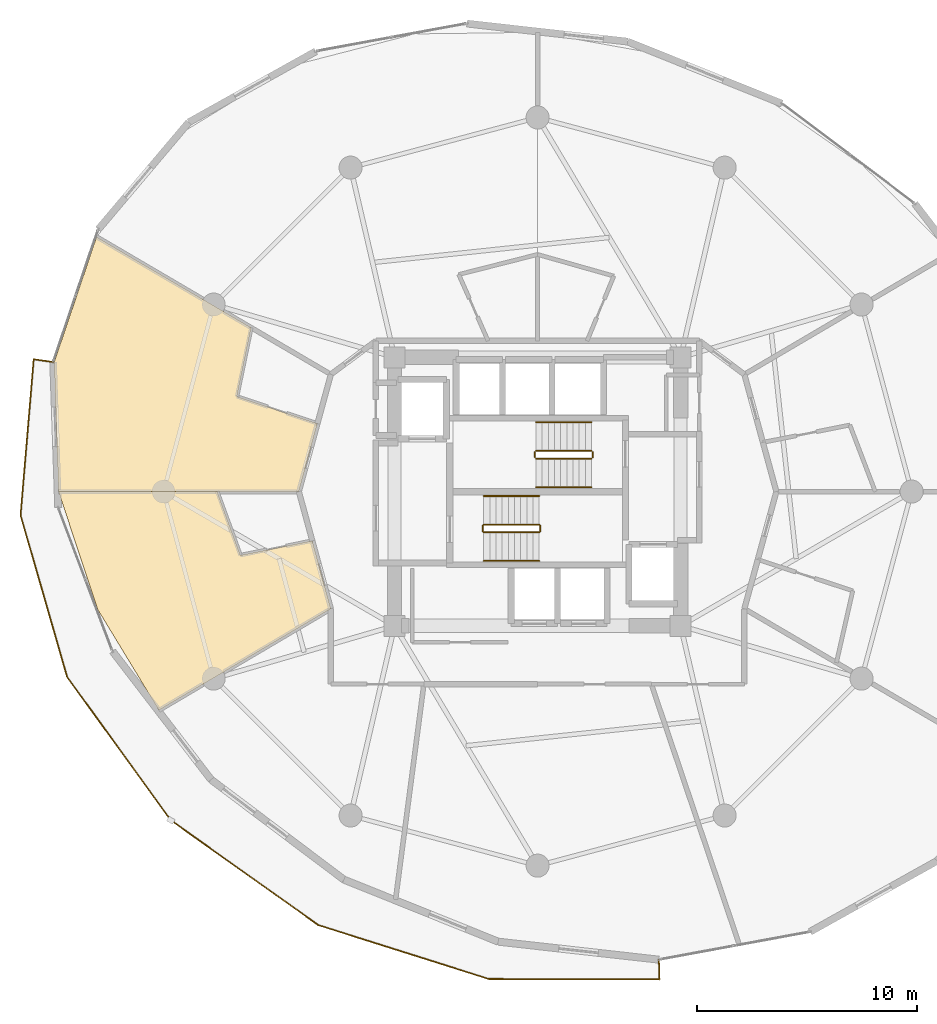
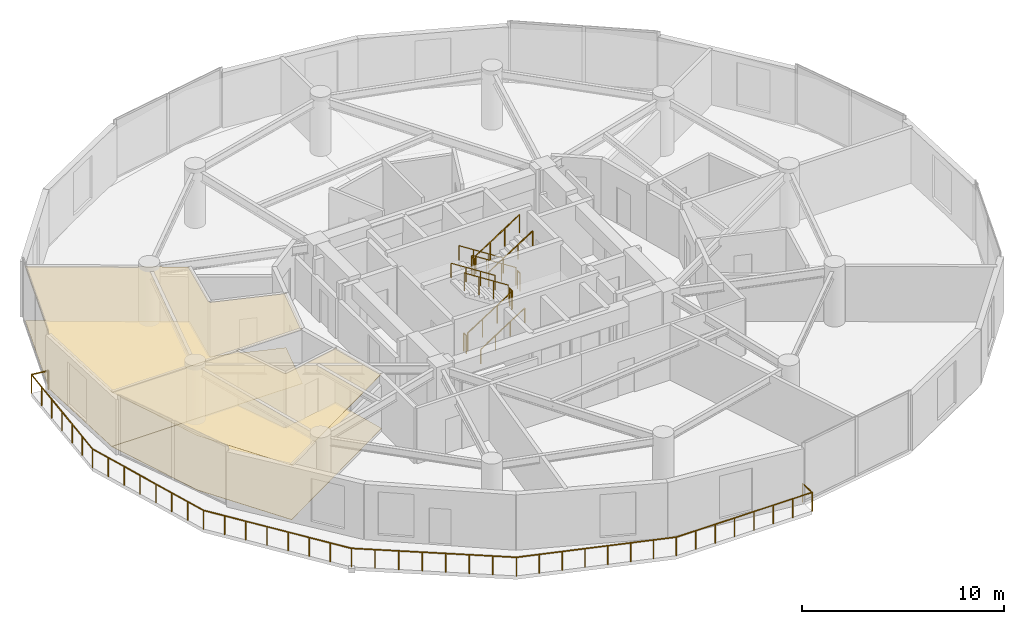
# One storey, part 24 of 25: 13 railings, 4 coverings.
"""IFC4 building model written with IfcOpenShell, lengths in metres."""

from ifc_helpers import new_model, si_unit, direction, frame, origin, origin_2d, place, context, subcontext, project, spatial, polyline, circle, outline, extrude, material, layer, layer_set, type_object, element, save


model = new_model("IFC4")

# Units and contexts
model_context = context("Model", 3, precision=1e-05, world=origin(), true_north=direction((0.0, 1.0)))
body_context = subcontext(model_context, "Body", "Model", "MODEL_VIEW")
ifc_project = project(units=[si_unit("LENGTHUNIT", "METRE"), si_unit("AREAUNIT", "SQUARE_METRE"), si_unit("VOLUMEUNIT", "CUBIC_METRE"), si_unit("PLANEANGLEUNIT", "RADIAN"), si_unit("MASSUNIT", "GRAM", prefix="KILO")], contexts=[model_context])

# Site, building, storey
site_placement = place(None, origin())
site = spatial("IfcSite", under=ifc_project, at=site_placement, CompositionType="ELEMENT")
building_placement = place(site_placement, origin())
building = spatial("IfcBuilding", under=site, at=building_placement, Name="Solvirekh Grand Hotel", CompositionType="ELEMENT")
storey_placement = place(building_placement, frame((0.0, 0.0, 102.60009765625)))
storey = spatial("IfcBuildingStorey", under=building, at=storey_placement, Name="L25", CompositionType="ELEMENT", Elevation=102.60009765625)

# Coverings
ifc_material_1 = material(Name="Acoustic Mineral Ceiling Tile")
ifc_layer_1 = layer(ifc_material_1, 0.02490234375)
ifc_layer_set_1 = layer_set([ifc_layer_1], Name="Acoustic Mineral Ceiling Tile")
covering_type_1 = type_object("IfcCoveringType", Name="Cov_Ceiling_Acoustic", PredefinedType="CEILING", material=ifc_layer_set_1)
covering_1_placement = place(storey_placement, frame((0.0, 0.0, 3.2998046875)))
element("IfcCovering", 1, at=covering_1_placement, inside=storey, type_object=covering_type_1, Name="L25 Deluxe Guestroom 2703 acoustic ceiling", PredefinedType="CEILING", context=body_context, shape_type="SweptSolid", body=[
    extrude(outline(polyline([(-13.666015625, 4.321044921875), (-13.01708984375, 7.448974609375), (-20.044921875, 11.572998046875), (-21.968994140625, 5.885986328125), (-21.77099609375, 0.0), (-10.85009765625, 0.0), (-10.007080078125, 3.089111328125), (-13.666015625, 4.321044921875)])), origin(), (0.0, 0.0, 1.0), 0.01806640625),
])
covering_2_placement = place(storey_placement, frame((0.0, 0.0, 3.2998046875)))
element("IfcCovering", 2, at=covering_2_placement, inside=storey, type_object=covering_type_1, Name="L25 Deluxe Guestroom 2704 acoustic ceiling", PredefinedType="CEILING", context=body_context, shape_type="SweptSolid", body=[
    extrude(outline(polyline([(-13.509033203125, -2.89501953125), (-14.56298828125, 0.0), (-21.77099609375, 0.0), (-19.991943359375, -5.35693359375), (-17.2109375, -9.93701171875), (-9.39599609375, -5.324951171875), (-10.239013671875, -2.236083984375), (-13.509033203125, -2.89501953125)])), origin(), (0.0, 0.0, 1.0), 0.01806640625),
])
ifc_material_2 = material(Name="Porcelain Stoneware Flooring", Category="masonry")
ifc_layer_2 = layer(ifc_material_2, 0.030029296875)
ifc_layer_set_2 = layer_set([ifc_layer_2], Name="Porcelain Stoneware Flooring")
covering_type_2 = type_object("IfcCoveringType", Name="Cov_Floor_Stone", PredefinedType="FLOORING", material=ifc_layer_set_2)
covering_3_placement = place(storey_placement, origin())
element("IfcCovering", 3, at=covering_3_placement, inside=storey, type_object=covering_type_2, Name="L25 Deluxe Guestroom 2703 polished granite flooring", PredefinedType="FLOORING", context=body_context, shape_type="SweptSolid", body=[
    extrude(outline(polyline([(-13.666015625, 4.321044921875), (-13.01708984375, 7.448974609375), (-20.044921875, 11.572998046875), (-21.968994140625, 5.885986328125), (-21.77099609375, 0.0), (-10.85009765625, 0.0), (-10.007080078125, 3.089111328125), (-13.666015625, 4.321044921875)])), origin(), (0.0, 0.0, 1.0), 0.02001953125),
])
covering_4_placement = place(storey_placement, origin())
element("IfcCovering", 4, at=covering_4_placement, inside=storey, type_object=covering_type_2, Name="L25 Deluxe Guestroom 2704 polished granite flooring", PredefinedType="FLOORING", context=body_context, shape_type="SweptSolid", body=[
    extrude(outline(polyline([(-13.509033203125, -2.89501953125), (-14.56298828125, 0.0), (-21.77099609375, 0.0), (-19.991943359375, -5.35693359375), (-17.2109375, -9.93701171875), (-9.39599609375, -5.324951171875), (-10.239013671875, -2.236083984375), (-13.509033203125, -2.89501953125)])), origin(), (0.0, 0.0, 1.0), 0.02001953125),
])

# Railings
ifc_material_3 = material(Name="Anodized Bronze Aluminium 6063-T6", Category="aluminium")
railing_type_1 = type_object("IfcRailingType", Name="Guard_ExtGlass_1150", PredefinedType="BALUSTRADE", material=ifc_material_3)
railing_1_placement = place(storey_placement, frame((-22.010986328125, 5.885986328125, 0.0)))
element("IfcRailing", 5, at=railing_1_placement, inside=storey, type_object=railing_type_1, Name="L25 balc perimeter glass balustrade", PredefinedType="BALUSTRADE", context=body_context, shape_type="SweptSolid", body=[
    extrude(circle(Radius=0.02392578125, at=origin_2d()), frame((0.0, 0.0, 1.1259765625), z_axis=(-0.989851628568, 0.142104726951, 0.0), x_axis=(-0.142104726951, -0.989851628568, 0.0)), (0.0, 0.0, 1.0), 0.900146484375),
    extrude(circle(Radius=0.02392578125, at=origin_2d()), frame((-0.89111328125, 0.1279296875, 1.1259765625), z_axis=(-0.084056659268, -0.996460976673, 0.0), x_axis=(0.996460976673, -0.084056659268, 0.0)), (0.0, 0.0, 1.0), 7.113037109375),
    extrude(circle(Radius=0.02392578125, at=origin_2d()), frame((-1.489013671875, -6.9599609375, 1.1259765625), z_axis=(0.276681142751, -0.960961781366, 0.0), x_axis=(0.960961781366, 0.276681142751, 0.0)), (0.0, 0.0, 1.0), 7.647705078125),
    extrude(circle(Radius=0.02392578125, at=origin_2d()), frame((0.626953125, -14.30908203125, 1.1259765625), z_axis=(0.586320293879, -0.810079325119, 0.0), x_axis=(0.810079325119, 0.586320293879, 0.0)), (0.0, 0.0, 1.0), 8.04345703125),
    extrude(circle(Radius=0.02392578125, at=origin_2d()), frame((5.343017578125, -20.824951171875, 1.1259765625), z_axis=(0.815056008737, -0.579382173199, 0.0), x_axis=(0.579382173199, 0.815056008737, 0.0)), (0.0, 0.0, 1.0), 8.218994140625),
    extrude(circle(Radius=0.02392578125, at=origin_2d()), frame((12.0419921875, -25.5869140625, 1.1259765625), z_axis=(0.953469536427, -0.301489374781, 0.0), x_axis=(0.301489374781, 0.953469536427, 0.0)), (0.0, 0.0, 1.0), 8.126220703125),
    extrude(circle(Radius=0.02392578125, at=origin_2d()), frame((19.7900390625, -28.036865234375, 1.1259765625), z_axis=(0.999995901682, -0.002862973952, 0.0), x_axis=(0.002862973952, 0.999995901682, 0.0)), (0.0, 0.0, 1.0), 7.760009765625),
    extrude(circle(Radius=0.02392578125, at=origin_2d()), frame((27.550048828125, -28.05908203125, 1.1259765625), z_axis=(-0.031175508938, 0.999513925687, 0.0), x_axis=(-0.999513925687, -0.031175508938, 0.0)), (0.0, 0.0, 1.0), 0.900634765625),
    extrude(circle(Radius=0.02099609375, at=origin_2d()), origin(), (0.0, 0.0, 1.0), 1.101806640625),
    extrude(circle(Radius=0.02099609375, at=origin_2d()), frame((-0.89111328125, 0.1279296875, 0.0)), (0.0, 0.0, 1.0), 1.101806640625),
    extrude(circle(Radius=0.02099609375, at=origin_2d()), frame((-0.99072265625, -1.053466796875, 0.0)), (0.0, 0.0, 1.0), 1.101806640625),
    extrude(circle(Radius=0.02099609375, at=origin_2d()), frame((-1.09033203125, -2.234619140625, 0.0)), (0.0, 0.0, 1.0), 1.101806640625),
    extrude(circle(Radius=0.02099609375, at=origin_2d()), frame((-1.18994140625, -3.416015625, 0.0)), (0.0, 0.0, 1.0), 1.101806640625),
    extrude(circle(Radius=0.02099609375, at=origin_2d()), frame((-1.289794921875, -4.597412109375, 0.0)), (0.0, 0.0, 1.0), 1.101806640625),
    extrude(circle(Radius=0.02099609375, at=origin_2d()), frame((-1.389404296875, -5.778564453125, 0.0)), (0.0, 0.0, 1.0), 1.101806640625),
    extrude(circle(Radius=0.02099609375, at=origin_2d()), frame((-1.489013671875, -6.9599609375, 0.0)), (0.0, 0.0, 1.0), 1.101806640625),
    extrude(circle(Radius=0.02099609375, at=origin_2d()), frame((-1.186767578125, -8.009765625, 0.0)), (0.0, 0.0, 1.0), 1.101806640625),
    extrude(circle(Radius=0.02099609375, at=origin_2d()), frame((-0.884521484375, -9.059814453125, 0.0)), (0.0, 0.0, 1.0), 1.101806640625),
    extrude(circle(Radius=0.02099609375, at=origin_2d()), frame((-0.582275390625, -10.109619140625, 0.0)), (0.0, 0.0, 1.0), 1.101806640625),
    extrude(circle(Radius=0.02099609375, at=origin_2d()), frame((-0.27978515625, -11.159423828125, 0.0)), (0.0, 0.0, 1.0), 1.101806640625),
    extrude(circle(Radius=0.02099609375, at=origin_2d()), frame((0.0224609375, -12.209228515625, 0.0)), (0.0, 0.0, 1.0), 1.101806640625),
    extrude(circle(Radius=0.02099609375, at=origin_2d()), frame((0.32470703125, -13.25927734375, 0.0)), (0.0, 0.0, 1.0), 1.101806640625),
    extrude(circle(Radius=0.02099609375, at=origin_2d()), frame((0.626953125, -14.30908203125, 0.0)), (0.0, 0.0, 1.0), 1.101806640625),
    extrude(circle(Radius=0.02099609375, at=origin_2d()), frame((1.30078125, -15.239990234375, 0.0)), (0.0, 0.0, 1.0), 1.101806640625),
    extrude(circle(Radius=0.02099609375, at=origin_2d()), frame((1.974365234375, -16.170654296875, 0.0)), (0.0, 0.0, 1.0), 1.101806640625),
    extrude(circle(Radius=0.02099609375, at=origin_2d()), frame((2.648193359375, -17.1015625, 0.0)), (0.0, 0.0, 1.0), 1.101806640625),
    extrude(circle(Radius=0.02099609375, at=origin_2d()), frame((3.32177734375, -18.032470703125, 0.0)), (0.0, 0.0, 1.0), 1.101806640625),
    extrude(circle(Radius=0.02099609375, at=origin_2d()), frame((3.99560546875, -18.96337890625, 0.0)), (0.0, 0.0, 1.0), 1.101806640625),
    extrude(circle(Radius=0.02099609375, at=origin_2d()), frame((4.669189453125, -19.89404296875, 0.0)), (0.0, 0.0, 1.0), 1.101806640625),
    extrude(circle(Radius=0.02099609375, at=origin_2d()), frame((5.343017578125, -20.824951171875, 0.0)), (0.0, 0.0, 1.0), 1.101806640625),
    extrude(circle(Radius=0.02099609375, at=origin_2d()), frame((6.300048828125, -21.505126953125, 0.0)), (0.0, 0.0, 1.0), 1.101806640625),
    extrude(circle(Radius=0.02099609375, at=origin_2d()), frame((7.257080078125, -22.185546875, 0.0)), (0.0, 0.0, 1.0), 1.101806640625),
    extrude(circle(Radius=0.02099609375, at=origin_2d()), frame((8.214111328125, -22.86572265625, 0.0)), (0.0, 0.0, 1.0), 1.101806640625),
    extrude(circle(Radius=0.02099609375, at=origin_2d()), frame((9.1708984375, -23.546142578125, 0.0)), (0.0, 0.0, 1.0), 1.101806640625),
    extrude(circle(Radius=0.02099609375, at=origin_2d()), frame((10.1279296875, -24.226318359375, 0.0)), (0.0, 0.0, 1.0), 1.101806640625),
    extrude(circle(Radius=0.02099609375, at=origin_2d()), frame((11.0849609375, -24.90673828125, 0.0)), (0.0, 0.0, 1.0), 1.101806640625),
    extrude(circle(Radius=0.02099609375, at=origin_2d()), frame((12.0419921875, -25.5869140625, 0.0)), (0.0, 0.0, 1.0), 1.101806640625),
    extrude(circle(Radius=0.02099609375, at=origin_2d()), frame((13.14892578125, -25.93701171875, 0.0)), (0.0, 0.0, 1.0), 1.101806640625),
    extrude(circle(Radius=0.02099609375, at=origin_2d()), frame((14.255615234375, -26.286865234375, 0.0)), (0.0, 0.0, 1.0), 1.101806640625),
    extrude(circle(Radius=0.02099609375, at=origin_2d()), frame((15.362548828125, -26.636962890625, 0.0)), (0.0, 0.0, 1.0), 1.101806640625),
    extrude(circle(Radius=0.02099609375, at=origin_2d()), frame((16.469482421875, -26.98681640625, 0.0)), (0.0, 0.0, 1.0), 1.101806640625),
    extrude(circle(Radius=0.02099609375, at=origin_2d()), frame((17.576416015625, -27.3369140625, 0.0)), (0.0, 0.0, 1.0), 1.101806640625),
    extrude(circle(Radius=0.02099609375, at=origin_2d()), frame((18.68310546875, -27.686767578125, 0.0)), (0.0, 0.0, 1.0), 1.101806640625),
    extrude(circle(Radius=0.02099609375, at=origin_2d()), frame((19.7900390625, -28.036865234375, 0.0)), (0.0, 0.0, 1.0), 1.101806640625),
    extrude(circle(Radius=0.02099609375, at=origin_2d()), frame((20.898681640625, -28.0400390625, 0.0)), (0.0, 0.0, 1.0), 1.101806640625),
    extrude(circle(Radius=0.02099609375, at=origin_2d()), frame((22.007080078125, -28.043212890625, 0.0)), (0.0, 0.0, 1.0), 1.101806640625),
    extrude(circle(Radius=0.02099609375, at=origin_2d()), frame((23.11572265625, -28.04638671875, 0.0)), (0.0, 0.0, 1.0), 1.101806640625),
    extrude(circle(Radius=0.02099609375, at=origin_2d()), frame((24.224365234375, -28.049560546875, 0.0)), (0.0, 0.0, 1.0), 1.101806640625),
    extrude(circle(Radius=0.02099609375, at=origin_2d()), frame((25.3330078125, -28.052734375, 0.0)), (0.0, 0.0, 1.0), 1.101806640625),
    extrude(circle(Radius=0.02099609375, at=origin_2d()), frame((26.44140625, -28.055908203125, 0.0)), (0.0, 0.0, 1.0), 1.101806640625),
    extrude(circle(Radius=0.02099609375, at=origin_2d()), frame((27.550048828125, -28.05908203125, 0.0)), (0.0, 0.0, 1.0), 1.101806640625),
    extrude(circle(Radius=0.02099609375, at=origin_2d()), frame((27.52197265625, -27.158935546875, 0.0)), (0.0, 0.0, 1.0), 1.101806640625),
])
ifc_material_4 = material(Name="Steel S355", Category="steel")
railing_type_2 = type_object("IfcRailingType", Name="Guard_Stair_1100", PredefinedType="GUARDRAIL", material=ifc_material_4)
railing_2_placement = place(storey_placement, frame((-2.449951171875, -1.85009765625, 0.179931640625)))
element("IfcRailing", 6, at=railing_2_placement, inside=storey, type_object=railing_type_2, Name="L25 ST-1 stair guard 1", PredefinedType="GUARDRAIL", context=body_context, shape_type="SweptSolid", body=[
    extrude(circle(Radius=0.02392578125, at=origin_2d()), frame((0.0, 0.0, 1.076171875), z_axis=(0.841199657755, 0.0, 0.540724639528), x_axis=(0.0, 1.0, 0.0)), (0.0, 0.0, 1.0), 2.995849609375),
    extrude(circle(Radius=0.02099609375, at=origin_2d()), origin(), (0.0, 0.0, 1.0), 1.052001953125),
    extrude(circle(Radius=0.02099609375, at=origin_2d()), frame((0.840087890625, 0.0, 0.5400390625)), (0.0, 0.0, 1.0), 1.052001953125),
    extrude(circle(Radius=0.02099609375, at=origin_2d()), frame((1.679931640625, 0.0, 1.079833984375)), (0.0, 0.0, 1.0), 1.052001953125),
    extrude(circle(Radius=0.02099609375, at=origin_2d()), frame((2.52001953125, 0.0, 1.619873046875)), (0.0, 0.0, 1.0), 1.052001953125),
])
railing_3_placement = place(storey_placement, frame((0.1201171875, -1.800048828125, 1.7998046875)))
element("IfcRailing", 7, at=railing_3_placement, inside=storey, type_object=railing_type_2, Name="L25 ST-1 stair guard 2", PredefinedType="GUARDRAIL", context=body_context, shape_type="SweptSolid", body=[
    extrude(circle(Radius=0.02392578125, at=origin_2d()), frame((0.0, 0.0, 1.076171875), z_axis=(0.0, 1.0, 0.0), x_axis=(-1.0, 0.0, 0.0)), (0.0, 0.0, 1.0), 0.25),
    extrude(circle(Radius=0.02099609375, at=origin_2d()), origin(), (0.0, 0.0, 1.0), 1.052001953125),
    extrude(circle(Radius=0.02099609375, at=origin_2d()), frame((0.0, 0.25, 0.0)), (0.0, 0.0, 1.0), 1.052001953125),
])
railing_4_placement = place(storey_placement, frame((0.070068359375, -1.5, 1.97998046875)))
element("IfcRailing", 8, at=railing_4_placement, inside=storey, type_object=railing_type_2, Name="L25 ST-1 stair guard 3", PredefinedType="GUARDRAIL", context=body_context, shape_type="SweptSolid", body=[
    extrude(circle(Radius=0.02392578125, at=origin_2d()), frame((0.0, 0.0, 1.076171875), z_axis=(-0.841199657755, 0.0, 0.540724639528), x_axis=(0.0, -1.0, 0.0)), (0.0, 0.0, 1.0), 2.995849609375),
    extrude(circle(Radius=0.02099609375, at=origin_2d()), origin(), (0.0, 0.0, 1.0), 1.052001953125),
    extrude(circle(Radius=0.02099609375, at=origin_2d()), frame((-0.840087890625, 0.0, 0.5400390625)), (0.0, 0.0, 1.0), 1.052001953125),
    extrude(circle(Radius=0.02099609375, at=origin_2d()), frame((-1.679931640625, 0.0, 1.079833984375)), (0.0, 0.0, 1.0), 1.052001953125),
    extrude(circle(Radius=0.02099609375, at=origin_2d()), frame((-2.52001953125, 0.0, 1.619873046875)), (0.0, 0.0, 1.0), 1.052001953125),
])
railing_5_placement = place(storey_placement, frame((-2.5, -1.800048828125, 0.0)))
element("IfcRailing", 9, at=railing_5_placement, inside=storey, type_object=railing_type_2, Name="L25 ST-1 stair guard 4", PredefinedType="GUARDRAIL", context=body_context, shape_type="SweptSolid", body=[
    extrude(circle(Radius=0.02392578125, at=origin_2d()), frame((0.0, 0.0, 1.076171875), z_axis=(0.0, 1.0, 0.0), x_axis=(-1.0, 0.0, 0.0)), (0.0, 0.0, 1.0), 0.25),
    extrude(circle(Radius=0.02099609375, at=origin_2d()), origin(), (0.0, 0.0, 1.0), 1.052001953125),
    extrude(circle(Radius=0.02099609375, at=origin_2d()), frame((0.0, 0.25, 0.0)), (0.0, 0.0, 1.0), 1.052001953125),
])
railing_6_placement = place(storey_placement, frame((2.449951171875, 1.85009765625, 0.179931640625)))
element("IfcRailing", 10, at=railing_6_placement, inside=storey, type_object=railing_type_2, Name="L25 ST-2 stair guard 1", PredefinedType="GUARDRAIL", context=body_context, shape_type="SweptSolid", body=[
    extrude(circle(Radius=0.02392578125, at=origin_2d()), frame((0.0, 0.0, 1.076171875), z_axis=(-0.841199657755, 0.0, 0.540724639528), x_axis=(0.0, -1.0, 0.0)), (0.0, 0.0, 1.0), 2.995849609375),
    extrude(circle(Radius=0.02099609375, at=origin_2d()), origin(), (0.0, 0.0, 1.0), 1.052001953125),
    extrude(circle(Radius=0.02099609375, at=origin_2d()), frame((-0.840087890625, 0.0, 0.5400390625)), (0.0, 0.0, 1.0), 1.052001953125),
    extrude(circle(Radius=0.02099609375, at=origin_2d()), frame((-1.679931640625, 0.0, 1.079833984375)), (0.0, 0.0, 1.0), 1.052001953125),
    extrude(circle(Radius=0.02099609375, at=origin_2d()), frame((-2.52001953125, 0.0, 1.619873046875)), (0.0, 0.0, 1.0), 1.052001953125),
])
railing_7_placement = place(storey_placement, frame((-0.1201171875, 1.800048828125, 1.7998046875)))
element("IfcRailing", 11, at=railing_7_placement, inside=storey, type_object=railing_type_2, Name="L25 ST-2 stair guard 2", PredefinedType="GUARDRAIL", context=body_context, shape_type="SweptSolid", body=[
    extrude(circle(Radius=0.02392578125, at=origin_2d()), frame((0.0, 0.0, 1.076171875), z_axis=(0.0, -1.0, 0.0), x_axis=(1.0, 0.0, 0.0)), (0.0, 0.0, 1.0), 0.25),
    extrude(circle(Radius=0.02099609375, at=origin_2d()), origin(), (0.0, 0.0, 1.0), 1.052001953125),
    extrude(circle(Radius=0.02099609375, at=origin_2d()), frame((0.0, -0.25, 0.0)), (0.0, 0.0, 1.0), 1.052001953125),
])
railing_8_placement = place(storey_placement, frame((-0.070068359375, 1.5, 1.97998046875)))
element("IfcRailing", 12, at=railing_8_placement, inside=storey, type_object=railing_type_2, Name="L25 ST-2 stair guard 3", PredefinedType="GUARDRAIL", context=body_context, shape_type="SweptSolid", body=[
    extrude(circle(Radius=0.02392578125, at=origin_2d()), frame((0.0, 0.0, 1.076171875), z_axis=(0.841199657755, 0.0, 0.540724639528), x_axis=(0.0, 1.0, 0.0)), (0.0, 0.0, 1.0), 2.995849609375),
    extrude(circle(Radius=0.02099609375, at=origin_2d()), origin(), (0.0, 0.0, 1.0), 1.052001953125),
    extrude(circle(Radius=0.02099609375, at=origin_2d()), frame((0.840087890625, 0.0, 0.5400390625)), (0.0, 0.0, 1.0), 1.052001953125),
    extrude(circle(Radius=0.02099609375, at=origin_2d()), frame((1.679931640625, 0.0, 1.079833984375)), (0.0, 0.0, 1.0), 1.052001953125),
    extrude(circle(Radius=0.02099609375, at=origin_2d()), frame((2.52001953125, 0.0, 1.619873046875)), (0.0, 0.0, 1.0), 1.052001953125),
])
railing_9_placement = place(storey_placement, frame((2.5, 1.800048828125, 0.0)))
element("IfcRailing", 13, at=railing_9_placement, inside=storey, type_object=railing_type_2, Name="L25 ST-2 stair guard 4", PredefinedType="GUARDRAIL", context=body_context, shape_type="SweptSolid", body=[
    extrude(circle(Radius=0.02392578125, at=origin_2d()), frame((0.0, 0.0, 1.076171875), z_axis=(0.0, -1.0, 0.0), x_axis=(1.0, 0.0, 0.0)), (0.0, 0.0, 1.0), 0.25),
    extrude(circle(Radius=0.02099609375, at=origin_2d()), origin(), (0.0, 0.0, 1.0), 1.052001953125),
    extrude(circle(Radius=0.02099609375, at=origin_2d()), frame((0.0, -0.25, 0.0)), (0.0, 0.0, 1.0), 1.052001953125),
])
railing_type_3 = type_object("IfcRailingType", Name="Handrail_Wall_900", PredefinedType="HANDRAIL", material=ifc_material_3)
railing_10_placement = place(storey_placement, frame((-2.449951171875, -3.14990234375, 0.179931640625)))
element("IfcRailing", 14, at=railing_10_placement, inside=storey, type_object=railing_type_3, Name="L25 ST-1 stair handrail 1", PredefinedType="HANDRAIL", context=body_context, shape_type="SweptSolid", body=[
    extrude(circle(Radius=0.02392578125, at=origin_2d()), frame((0.0, 0.0, 0.8759765625), z_axis=(0.841199657755, 0.0, 0.540724639528), x_axis=(0.0, 1.0, 0.0)), (0.0, 0.0, 1.0), 2.995849609375),
    extrude(circle(Radius=0.02099609375, at=origin_2d()), origin(), (0.0, 0.0, 1.0), 0.851806640625),
    extrude(circle(Radius=0.02099609375, at=origin_2d()), frame((0.840087890625, 0.0, 0.5400390625)), (0.0, 0.0, 1.0), 0.851806640625),
    extrude(circle(Radius=0.02099609375, at=origin_2d()), frame((1.679931640625, 0.0, 1.079833984375)), (0.0, 0.0, 1.0), 0.851806640625),
    extrude(circle(Radius=0.02099609375, at=origin_2d()), frame((2.52001953125, 0.0, 1.619873046875)), (0.0, 0.0, 1.0), 0.851806640625),
])
for number, where, name in (
    (15, (0.070068359375, -0.199951171875, 1.97998046875), "L25 ST-1 stair handrail 2"),
    (16, (2.449951171875, 3.14990234375, 0.179931640625), "L25 ST-2 stair handrail 1"),
):
    element("IfcRailing", number, at=place(storey_placement, frame(where)), inside=storey, type_object=railing_type_3, Name=name, PredefinedType="HANDRAIL", context=body_context, shape_type="SweptSolid", body=[
        extrude(circle(Radius=0.02392578125, at=origin_2d()), frame((0.0, 0.0, 0.8759765625), z_axis=(-0.841199657755, 0.0, 0.540724639528), x_axis=(0.0, -1.0, 0.0)), (0.0, 0.0, 1.0), 2.995849609375),
        extrude(circle(Radius=0.02099609375, at=origin_2d()), origin(), (0.0, 0.0, 1.0), 0.851806640625),
        extrude(circle(Radius=0.02099609375, at=origin_2d()), frame((-0.840087890625, 0.0, 0.5400390625)), (0.0, 0.0, 1.0), 0.851806640625),
        extrude(circle(Radius=0.02099609375, at=origin_2d()), frame((-1.679931640625, 0.0, 1.079833984375)), (0.0, 0.0, 1.0), 0.851806640625),
        extrude(circle(Radius=0.02099609375, at=origin_2d()), frame((-2.52001953125, 0.0, 1.619873046875)), (0.0, 0.0, 1.0), 0.851806640625),
    ])
railing_11_placement = place(storey_placement, frame((-0.070068359375, 0.199951171875, 1.97998046875)))
element("IfcRailing", 17, at=railing_11_placement, inside=storey, type_object=railing_type_3, Name="L25 ST-2 stair handrail 2", PredefinedType="HANDRAIL", context=body_context, shape_type="SweptSolid", body=[
    extrude(circle(Radius=0.02392578125, at=origin_2d()), frame((0.0, 0.0, 0.8759765625), z_axis=(0.841199657755, 0.0, 0.540724639528), x_axis=(0.0, 1.0, 0.0)), (0.0, 0.0, 1.0), 2.995849609375),
    extrude(circle(Radius=0.02099609375, at=origin_2d()), origin(), (0.0, 0.0, 1.0), 0.851806640625),
    extrude(circle(Radius=0.02099609375, at=origin_2d()), frame((0.840087890625, 0.0, 0.5400390625)), (0.0, 0.0, 1.0), 0.851806640625),
    extrude(circle(Radius=0.02099609375, at=origin_2d()), frame((1.679931640625, 0.0, 1.079833984375)), (0.0, 0.0, 1.0), 0.851806640625),
    extrude(circle(Radius=0.02099609375, at=origin_2d()), frame((2.52001953125, 0.0, 1.619873046875)), (0.0, 0.0, 1.0), 0.851806640625),
])

save(model, "model.ifc")
